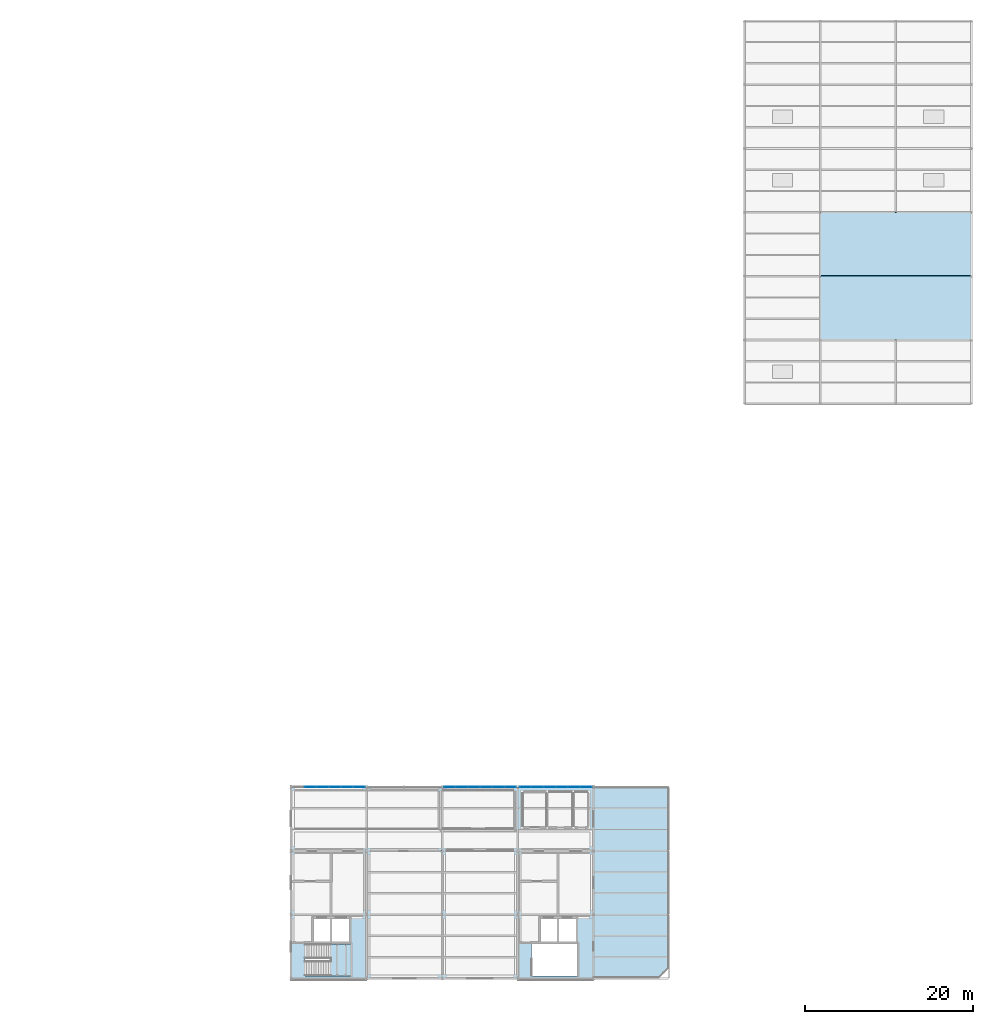
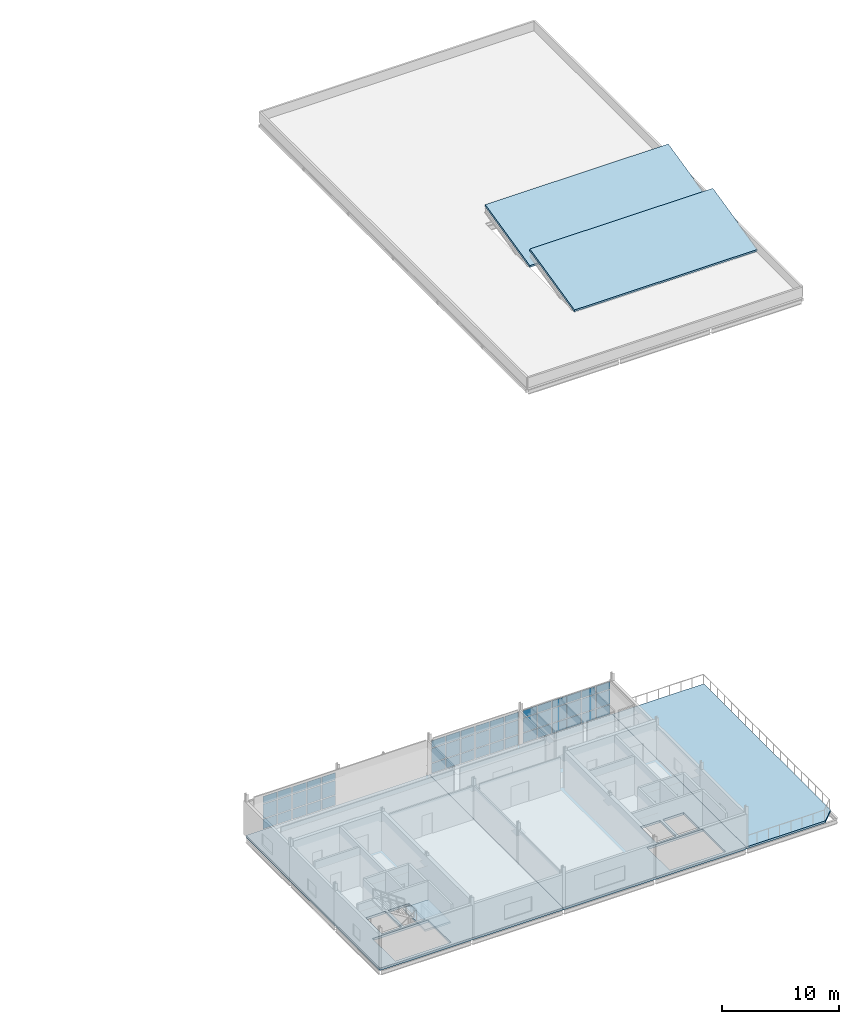
# One storey, part 13 of 24: 51 plates, 6 slabs, 4 elements without a shape of their own.
"""IFC4 building model written with IfcOpenShell, lengths in metres."""

from ifc_helpers import new_model, si_unit, direction, frame, origin, origin_2d, place, context, subcontext, project, spatial, polyline, rectangle, outline, extrude, material, layer, layer_set, type_object, element, aggregate, save


model = new_model("IFC4")

# Units and contexts
model_context = context("Model", 3, precision=1e-05, world=origin(), true_north=direction((0.0, 1.0)))
body_context = subcontext(model_context, "Body", "Model", "MODEL_VIEW")
ifc_project = project(units=[si_unit("LENGTHUNIT", "METRE"), si_unit("AREAUNIT", "SQUARE_METRE"), si_unit("VOLUMEUNIT", "CUBIC_METRE"), si_unit("PLANEANGLEUNIT", "RADIAN"), si_unit("MASSUNIT", "GRAM", prefix="KILO")], contexts=[model_context])

# Site, building, storey
site_placement = place(None, origin())
site = spatial("IfcSite", under=ifc_project, at=site_placement, CompositionType="ELEMENT")
building_placement = place(site_placement, origin())
building = spatial("IfcBuilding", under=site, at=building_placement, Name="Caisbarro Railhouse Central Library", CompositionType="ELEMENT")
storey_placement = place(building_placement, frame((0.0, 0.0, 22.320068359375)))
storey = spatial("IfcBuildingStorey", under=building, at=storey_placement, Name="L05", CompositionType="ELEMENT", Elevation=22.320068359375)

# Curtain wall, plates
ifc_material_1 = material(Name="Anodised architectural aluminium", Category="aluminium")
curtain_wall_type = type_object("IfcCurtainWallType", Name="CW-CW02", PredefinedType="NOTDEFINED", material=ifc_material_1)
curtain_wall_1_placement = place(storey_placement, origin())
curtain_wall_1 = element("IfcCurtainWall", 1, at=curtain_wall_1_placement, inside=storey, type_object=curtain_wall_type, Name="CW02 curtain wall L05 #71", PredefinedType="NOTDEFINED")
ifc_material_2 = material(Name="Double low-e laminated solar-control glass", Category="glass")
ifc_layer_1 = layer(ifc_material_2, 0.01806640625, Name="Double low-e laminated solar-control glass")
ifc_layer_set_1 = layer_set([ifc_layer_1], Name="Double low-e laminated solar-control glass")
plate_type_1 = type_object("IfcPlateType", Name="CWP-CP18", PredefinedType="CURTAIN_PANEL", material=ifc_layer_set_1)
plate_1_placement = place(storey_placement, frame((65.330078125, 22.800048828125, 0.07470703125), z_axis=(0.0, 0.0, 1.0), x_axis=(1.0, 0.0, 0.0)))
plate_1 = element("IfcPlate", 2, at=plate_1_placement, type_object=plate_type_1, Name="CW02 panel 2.1", PredefinedType="CURTAIN_PANEL", context=body_context, shape_type="SweptSolid", body=[
    extrude(rectangle(XDim=1.37158203125, YDim=0.01806640625, at=origin_2d()), origin(), (0.0, 0.0, 1.0), 1.007568359375),
])
plate_2_placement = place(storey_placement, frame((65.330078125, 22.800048828125, 1.1572265625), z_axis=(0.0, 0.0, 1.0), x_axis=(1.0, 0.0, 0.0)))
plate_2 = element("IfcPlate", 3, at=plate_2_placement, type_object=plate_type_1, Name="CW02 panel 2.2", PredefinedType="CURTAIN_PANEL", context=body_context, shape_type="SweptSolid", body=[
    extrude(rectangle(XDim=1.37158203125, YDim=0.01806640625, at=origin_2d()), origin(), (0.0, 0.0, 1.0), 1.485107421875),
])
plate_3_placement = place(storey_placement, frame((65.330078125, 22.800048828125, 2.71728515625), z_axis=(0.0, 0.0, 1.0), x_axis=(1.0, 0.0, 0.0)))
plate_3 = element("IfcPlate", 4, at=plate_3_placement, type_object=plate_type_1, Name="CW02 panel 2.3", PredefinedType="CURTAIN_PANEL", context=body_context, shape_type="SweptSolid", body=[
    extrude(rectangle(XDim=1.37158203125, YDim=0.01806640625, at=origin_2d()), origin(), (0.0, 0.0, 1.0), 0.737548828125),
])
plate_4_placement = place(storey_placement, frame((66.776611328125, 22.800048828125, 0.07470703125), z_axis=(0.0, 0.0, 1.0), x_axis=(1.0, 0.0, 0.0)))
plate_4 = element("IfcPlate", 5, at=plate_4_placement, type_object=plate_type_1, Name="CW02 panel 3.1", PredefinedType="CURTAIN_PANEL", context=body_context, shape_type="SweptSolid", body=[
    extrude(rectangle(XDim=1.37158203125, YDim=0.01806640625, at=origin_2d()), origin(), (0.0, 0.0, 1.0), 1.007568359375),
])
plate_5_placement = place(storey_placement, frame((66.776611328125, 22.800048828125, 1.1572265625), z_axis=(0.0, 0.0, 1.0), x_axis=(1.0, 0.0, 0.0)))
plate_5 = element("IfcPlate", 6, at=plate_5_placement, type_object=plate_type_1, Name="CW02 panel 3.2", PredefinedType="CURTAIN_PANEL", context=body_context, shape_type="SweptSolid", body=[
    extrude(rectangle(XDim=1.37158203125, YDim=0.01806640625, at=origin_2d()), origin(), (0.0, 0.0, 1.0), 1.485107421875),
])
plate_6_placement = place(storey_placement, frame((66.776611328125, 22.800048828125, 2.71728515625), z_axis=(0.0, 0.0, 1.0), x_axis=(1.0, 0.0, 0.0)))
plate_6 = element("IfcPlate", 7, at=plate_6_placement, type_object=plate_type_1, Name="CW02 panel 3.3", PredefinedType="CURTAIN_PANEL", context=body_context, shape_type="SweptSolid", body=[
    extrude(rectangle(XDim=1.37158203125, YDim=0.01806640625, at=origin_2d()), origin(), (0.0, 0.0, 1.0), 0.737548828125),
])
plate_7_placement = place(storey_placement, frame((68.223388671875, 22.800048828125, 0.07470703125), z_axis=(0.0, 0.0, 1.0), x_axis=(1.0, 0.0, 0.0)))
plate_7 = element("IfcPlate", 8, at=plate_7_placement, type_object=plate_type_1, Name="CW02 panel 4.1", PredefinedType="CURTAIN_PANEL", context=body_context, shape_type="SweptSolid", body=[
    extrude(rectangle(XDim=1.37158203125, YDim=0.01806640625, at=origin_2d()), origin(), (0.0, 0.0, 1.0), 1.007568359375),
])
plate_8_placement = place(storey_placement, frame((68.223388671875, 22.800048828125, 1.1572265625), z_axis=(0.0, 0.0, 1.0), x_axis=(1.0, 0.0, 0.0)))
plate_8 = element("IfcPlate", 9, at=plate_8_placement, type_object=plate_type_1, Name="CW02 panel 4.2", PredefinedType="CURTAIN_PANEL", context=body_context, shape_type="SweptSolid", body=[
    extrude(rectangle(XDim=1.37158203125, YDim=0.01806640625, at=origin_2d()), origin(), (0.0, 0.0, 1.0), 1.485107421875),
])
plate_9_placement = place(storey_placement, frame((68.223388671875, 22.800048828125, 2.71728515625), z_axis=(0.0, 0.0, 1.0), x_axis=(1.0, 0.0, 0.0)))
plate_9 = element("IfcPlate", 10, at=plate_9_placement, type_object=plate_type_1, Name="CW02 panel 4.3", PredefinedType="CURTAIN_PANEL", context=body_context, shape_type="SweptSolid", body=[
    extrude(rectangle(XDim=1.37158203125, YDim=0.01806640625, at=origin_2d()), origin(), (0.0, 0.0, 1.0), 0.737548828125),
])
plate_10_placement = place(storey_placement, frame((69.669921875, 22.800048828125, 0.07470703125), z_axis=(0.0, 0.0, 1.0), x_axis=(1.0, 0.0, 0.0)))
plate_10 = element("IfcPlate", 11, at=plate_10_placement, type_object=plate_type_1, Name="CW02 panel 5.1", PredefinedType="CURTAIN_PANEL", context=body_context, shape_type="SweptSolid", body=[
    extrude(rectangle(XDim=1.37158203125, YDim=0.01806640625, at=origin_2d()), origin(), (0.0, 0.0, 1.0), 1.007568359375),
])
plate_11_placement = place(storey_placement, frame((69.669921875, 22.800048828125, 1.1572265625), z_axis=(0.0, 0.0, 1.0), x_axis=(1.0, 0.0, 0.0)))
plate_11 = element("IfcPlate", 12, at=plate_11_placement, type_object=plate_type_1, Name="CW02 panel 5.2", PredefinedType="CURTAIN_PANEL", context=body_context, shape_type="SweptSolid", body=[
    extrude(rectangle(XDim=1.37158203125, YDim=0.01806640625, at=origin_2d()), origin(), (0.0, 0.0, 1.0), 1.485107421875),
])
plate_12_placement = place(storey_placement, frame((69.669921875, 22.800048828125, 2.71728515625), z_axis=(0.0, 0.0, 1.0), x_axis=(1.0, 0.0, 0.0)))
plate_12 = element("IfcPlate", 13, at=plate_12_placement, type_object=plate_type_1, Name="CW02 panel 5.3", PredefinedType="CURTAIN_PANEL", context=body_context, shape_type="SweptSolid", body=[
    extrude(rectangle(XDim=1.37158203125, YDim=0.01806640625, at=origin_2d()), origin(), (0.0, 0.0, 1.0), 0.737548828125),
])
plate_13_placement = place(storey_placement, frame((71.097900390625, 22.800048828125, 0.07470703125), z_axis=(0.0, 0.0, 1.0), x_axis=(1.0, 0.0, 0.0)))
plate_13 = element("IfcPlate", 14, at=plate_13_placement, type_object=plate_type_1, Name="CW02 panel 6.1", PredefinedType="CURTAIN_PANEL", context=body_context, shape_type="SweptSolid", body=[
    extrude(rectangle(XDim=1.334228515625, YDim=0.01806640625, at=origin_2d()), origin(), (0.0, 0.0, 1.0), 1.007568359375),
])
plate_14_placement = place(storey_placement, frame((71.097900390625, 22.800048828125, 1.1572265625), z_axis=(0.0, 0.0, 1.0), x_axis=(1.0, 0.0, 0.0)))
plate_14 = element("IfcPlate", 15, at=plate_14_placement, type_object=plate_type_1, Name="CW02 panel 6.2", PredefinedType="CURTAIN_PANEL", context=body_context, shape_type="SweptSolid", body=[
    extrude(rectangle(XDim=1.334228515625, YDim=0.01806640625, at=origin_2d()), origin(), (0.0, 0.0, 1.0), 1.485107421875),
])
plate_15_placement = place(storey_placement, frame((71.097900390625, 22.800048828125, 2.71728515625), z_axis=(0.0, 0.0, 1.0), x_axis=(1.0, 0.0, 0.0)))
plate_15 = element("IfcPlate", 16, at=plate_15_placement, type_object=plate_type_1, Name="CW02 panel 6.3", PredefinedType="CURTAIN_PANEL", context=body_context, shape_type="SweptSolid", body=[
    extrude(rectangle(XDim=1.334228515625, YDim=0.01806640625, at=origin_2d()), origin(), (0.0, 0.0, 1.0), 0.737548828125),
])
aggregate(curtain_wall_1, [plate_1, plate_2, plate_3, plate_4, plate_5, plate_6, plate_7, plate_8, plate_9, plate_10, plate_11, plate_12, plate_13, plate_14, plate_15])

curtain_wall_2_placement = place(storey_placement, origin())
curtain_wall_2 = element("IfcCurtainWall", 17, at=curtain_wall_2_placement, inside=storey, type_object=curtain_wall_type, Name="CW02 curtain wall L05 #72", PredefinedType="NOTDEFINED")
ifc_layer_2 = layer(ifc_material_2, 0.0380859375, Name="Double low-e laminated solar-control glass")
ifc_layer_set_2 = layer_set([ifc_layer_2], Name="Double low-e laminated solar-control glass")
plate_type_2 = type_object("IfcPlateType", Name="CWP-CP38", PredefinedType="CURTAIN_PANEL", material=ifc_layer_set_2)
plate_16_placement = place(storey_placement, frame((81.902099609375, 22.800048828125, 0.07470703125), z_axis=(0.0, 0.0, 1.0), x_axis=(1.0, 0.0, 0.0)))
plate_16 = element("IfcPlate", 18, at=plate_16_placement, type_object=plate_type_2, Name="CW02 panel 1.1", PredefinedType="CURTAIN_PANEL", context=body_context, shape_type="SweptSolid", body=[
    extrude(rectangle(XDim=1.334228515625, YDim=0.0380859375, at=origin_2d()), origin(), (0.0, 0.0, 1.0), 1.007568359375),
])
plate_17_placement = place(storey_placement, frame((81.902099609375, 22.800048828125, 1.1572265625), z_axis=(0.0, 0.0, 1.0), x_axis=(1.0, 0.0, 0.0)))
plate_17 = element("IfcPlate", 19, at=plate_17_placement, type_object=plate_type_2, Name="CW02 panel 1.2", PredefinedType="CURTAIN_PANEL", context=body_context, shape_type="SweptSolid", body=[
    extrude(rectangle(XDim=1.334228515625, YDim=0.0380859375, at=origin_2d()), origin(), (0.0, 0.0, 1.0), 1.485107421875),
])
plate_18_placement = place(storey_placement, frame((81.902099609375, 22.800048828125, 2.71728515625), z_axis=(0.0, 0.0, 1.0), x_axis=(1.0, 0.0, 0.0)))
plate_18 = element("IfcPlate", 20, at=plate_18_placement, type_object=plate_type_2, Name="CW02 panel 1.3", PredefinedType="CURTAIN_PANEL", context=body_context, shape_type="SweptSolid", body=[
    extrude(rectangle(XDim=1.334228515625, YDim=0.0380859375, at=origin_2d()), origin(), (0.0, 0.0, 1.0), 0.737548828125),
])
plate_19_placement = place(storey_placement, frame((83.330078125, 22.800048828125, 0.07470703125), z_axis=(0.0, 0.0, 1.0), x_axis=(1.0, 0.0, 0.0)))
plate_19 = element("IfcPlate", 21, at=plate_19_placement, type_object=plate_type_2, Name="CW02 panel 2.1", PredefinedType="CURTAIN_PANEL", context=body_context, shape_type="SweptSolid", body=[
    extrude(rectangle(XDim=1.37158203125, YDim=0.0380859375, at=origin_2d()), origin(), (0.0, 0.0, 1.0), 1.007568359375),
])
plate_20_placement = place(storey_placement, frame((83.330078125, 22.800048828125, 1.1572265625), z_axis=(0.0, 0.0, 1.0), x_axis=(1.0, 0.0, 0.0)))
plate_20 = element("IfcPlate", 22, at=plate_20_placement, type_object=plate_type_2, Name="CW02 panel 2.2", PredefinedType="CURTAIN_PANEL", context=body_context, shape_type="SweptSolid", body=[
    extrude(rectangle(XDim=1.37158203125, YDim=0.0380859375, at=origin_2d()), origin(), (0.0, 0.0, 1.0), 1.485107421875),
])
plate_21_placement = place(storey_placement, frame((83.330078125, 22.800048828125, 2.71728515625), z_axis=(0.0, 0.0, 1.0), x_axis=(1.0, 0.0, 0.0)))
plate_21 = element("IfcPlate", 23, at=plate_21_placement, type_object=plate_type_2, Name="CW02 panel 2.3", PredefinedType="CURTAIN_PANEL", context=body_context, shape_type="SweptSolid", body=[
    extrude(rectangle(XDim=1.37158203125, YDim=0.0380859375, at=origin_2d()), origin(), (0.0, 0.0, 1.0), 0.737548828125),
])
plate_22_placement = place(storey_placement, frame((84.776611328125, 22.800048828125, 0.07470703125), z_axis=(0.0, 0.0, 1.0), x_axis=(1.0, 0.0, 0.0)))
plate_22 = element("IfcPlate", 24, at=plate_22_placement, type_object=plate_type_2, Name="CW02 panel 3.1", PredefinedType="CURTAIN_PANEL", context=body_context, shape_type="SweptSolid", body=[
    extrude(rectangle(XDim=1.37158203125, YDim=0.0380859375, at=origin_2d()), origin(), (0.0, 0.0, 1.0), 1.007568359375),
])
plate_23_placement = place(storey_placement, frame((84.776611328125, 22.800048828125, 1.1572265625), z_axis=(0.0, 0.0, 1.0), x_axis=(1.0, 0.0, 0.0)))
plate_23 = element("IfcPlate", 25, at=plate_23_placement, type_object=plate_type_2, Name="CW02 panel 3.2", PredefinedType="CURTAIN_PANEL", context=body_context, shape_type="SweptSolid", body=[
    extrude(rectangle(XDim=1.37158203125, YDim=0.0380859375, at=origin_2d()), origin(), (0.0, 0.0, 1.0), 1.485107421875),
])
plate_24_placement = place(storey_placement, frame((84.776611328125, 22.800048828125, 2.71728515625), z_axis=(0.0, 0.0, 1.0), x_axis=(1.0, 0.0, 0.0)))
plate_24 = element("IfcPlate", 26, at=plate_24_placement, type_object=plate_type_2, Name="CW02 panel 3.3", PredefinedType="CURTAIN_PANEL", context=body_context, shape_type="SweptSolid", body=[
    extrude(rectangle(XDim=1.37158203125, YDim=0.0380859375, at=origin_2d()), origin(), (0.0, 0.0, 1.0), 0.737548828125),
])
plate_25_placement = place(storey_placement, frame((86.223388671875, 22.800048828125, 0.07470703125), z_axis=(0.0, 0.0, 1.0), x_axis=(1.0, 0.0, 0.0)))
plate_25 = element("IfcPlate", 27, at=plate_25_placement, type_object=plate_type_2, Name="CW02 panel 4.1", PredefinedType="CURTAIN_PANEL", context=body_context, shape_type="SweptSolid", body=[
    extrude(rectangle(XDim=1.37158203125, YDim=0.0380859375, at=origin_2d()), origin(), (0.0, 0.0, 1.0), 1.007568359375),
])
plate_26_placement = place(storey_placement, frame((86.223388671875, 22.800048828125, 1.1572265625), z_axis=(0.0, 0.0, 1.0), x_axis=(1.0, 0.0, 0.0)))
plate_26 = element("IfcPlate", 28, at=plate_26_placement, type_object=plate_type_2, Name="CW02 panel 4.2", PredefinedType="CURTAIN_PANEL", context=body_context, shape_type="SweptSolid", body=[
    extrude(rectangle(XDim=1.37158203125, YDim=0.0380859375, at=origin_2d()), origin(), (0.0, 0.0, 1.0), 1.485107421875),
])
plate_27_placement = place(storey_placement, frame((86.223388671875, 22.800048828125, 2.71728515625), z_axis=(0.0, 0.0, 1.0), x_axis=(1.0, 0.0, 0.0)))
plate_27 = element("IfcPlate", 29, at=plate_27_placement, type_object=plate_type_2, Name="CW02 panel 4.3", PredefinedType="CURTAIN_PANEL", context=body_context, shape_type="SweptSolid", body=[
    extrude(rectangle(XDim=1.37158203125, YDim=0.0380859375, at=origin_2d()), origin(), (0.0, 0.0, 1.0), 0.737548828125),
])
plate_28_placement = place(storey_placement, frame((87.669921875, 22.800048828125, 0.07470703125), z_axis=(0.0, 0.0, 1.0), x_axis=(1.0, 0.0, 0.0)))
plate_28 = element("IfcPlate", 30, at=plate_28_placement, type_object=plate_type_2, Name="CW02 panel 5.1", PredefinedType="CURTAIN_PANEL", context=body_context, shape_type="SweptSolid", body=[
    extrude(rectangle(XDim=1.37158203125, YDim=0.0380859375, at=origin_2d()), origin(), (0.0, 0.0, 1.0), 1.007568359375),
])
plate_29_placement = place(storey_placement, frame((87.669921875, 22.800048828125, 1.1572265625), z_axis=(0.0, 0.0, 1.0), x_axis=(1.0, 0.0, 0.0)))
plate_29 = element("IfcPlate", 31, at=plate_29_placement, type_object=plate_type_2, Name="CW02 panel 5.2", PredefinedType="CURTAIN_PANEL", context=body_context, shape_type="SweptSolid", body=[
    extrude(rectangle(XDim=1.37158203125, YDim=0.0380859375, at=origin_2d()), origin(), (0.0, 0.0, 1.0), 1.485107421875),
])
plate_30_placement = place(storey_placement, frame((87.669921875, 22.800048828125, 2.71728515625), z_axis=(0.0, 0.0, 1.0), x_axis=(1.0, 0.0, 0.0)))
plate_30 = element("IfcPlate", 32, at=plate_30_placement, type_object=plate_type_2, Name="CW02 panel 5.3", PredefinedType="CURTAIN_PANEL", context=body_context, shape_type="SweptSolid", body=[
    extrude(rectangle(XDim=1.37158203125, YDim=0.0380859375, at=origin_2d()), origin(), (0.0, 0.0, 1.0), 0.737548828125),
])
plate_31_placement = place(storey_placement, frame((89.097900390625, 22.800048828125, 0.07470703125), z_axis=(0.0, 0.0, 1.0), x_axis=(1.0, 0.0, 0.0)))
plate_31 = element("IfcPlate", 33, at=plate_31_placement, type_object=plate_type_2, Name="CW02 panel 6.1", PredefinedType="CURTAIN_PANEL", context=body_context, shape_type="SweptSolid", body=[
    extrude(rectangle(XDim=1.334228515625, YDim=0.0380859375, at=origin_2d()), origin(), (0.0, 0.0, 1.0), 1.007568359375),
])
plate_32_placement = place(storey_placement, frame((89.097900390625, 22.800048828125, 1.1572265625), z_axis=(0.0, 0.0, 1.0), x_axis=(1.0, 0.0, 0.0)))
plate_32 = element("IfcPlate", 34, at=plate_32_placement, type_object=plate_type_2, Name="CW02 panel 6.2", PredefinedType="CURTAIN_PANEL", context=body_context, shape_type="SweptSolid", body=[
    extrude(rectangle(XDim=1.334228515625, YDim=0.0380859375, at=origin_2d()), origin(), (0.0, 0.0, 1.0), 1.485107421875),
])
plate_33_placement = place(storey_placement, frame((89.097900390625, 22.800048828125, 2.71728515625), z_axis=(0.0, 0.0, 1.0), x_axis=(1.0, 0.0, 0.0)))
plate_33 = element("IfcPlate", 35, at=plate_33_placement, type_object=plate_type_2, Name="CW02 panel 6.3", PredefinedType="CURTAIN_PANEL", context=body_context, shape_type="SweptSolid", body=[
    extrude(rectangle(XDim=1.334228515625, YDim=0.0380859375, at=origin_2d()), origin(), (0.0, 0.0, 1.0), 0.737548828125),
])
aggregate(curtain_wall_2, [plate_16, plate_17, plate_18, plate_19, plate_20, plate_21, plate_22, plate_23, plate_24, plate_25, plate_26, plate_27, plate_28, plate_29, plate_30, plate_31, plate_32, plate_33])

curtain_wall_3_placement = place(storey_placement, origin())
curtain_wall_3 = element("IfcCurtainWall", 36, at=curtain_wall_3_placement, inside=storey, type_object=curtain_wall_type, Name="CW02 curtain wall L05 #73", PredefinedType="NOTDEFINED")
ifc_layer_3 = layer(ifc_material_2, 0.048095703125, Name="Double low-e laminated solar-control glass")
ifc_layer_set_3 = layer_set([ifc_layer_3], Name="Double low-e laminated solar-control glass")
plate_type_3 = type_object("IfcPlateType", Name="CWP-CP48", PredefinedType="CURTAIN_PANEL", material=ifc_layer_set_3)
plate_34_placement = place(storey_placement, frame((90.899658203125, 22.800048828125, 0.07470703125), z_axis=(0.0, 0.0, 1.0), x_axis=(1.0, 0.0, 0.0)))
plate_34 = element("IfcPlate", 37, at=plate_34_placement, type_object=plate_type_3, Name="CW02 panel 1.1", PredefinedType="CURTAIN_PANEL", context=body_context, shape_type="SweptSolid", body=[
    extrude(rectangle(XDim=1.34912109375, YDim=0.048095703125, at=origin_2d()), origin(), (0.0, 0.0, 1.0), 1.007568359375),
])
plate_35_placement = place(storey_placement, frame((90.899658203125, 22.800048828125, 1.1572265625), z_axis=(0.0, 0.0, 1.0), x_axis=(1.0, 0.0, 0.0)))
plate_35 = element("IfcPlate", 38, at=plate_35_placement, type_object=plate_type_3, Name="CW02 panel 1.2", PredefinedType="CURTAIN_PANEL", context=body_context, shape_type="SweptSolid", body=[
    extrude(rectangle(XDim=1.34912109375, YDim=0.048095703125, at=origin_2d()), origin(), (0.0, 0.0, 1.0), 1.485107421875),
])
plate_36_placement = place(storey_placement, frame((90.899658203125, 22.800048828125, 2.71728515625), z_axis=(0.0, 0.0, 1.0), x_axis=(1.0, 0.0, 0.0)))
plate_36 = element("IfcPlate", 39, at=plate_36_placement, type_object=plate_type_3, Name="CW02 panel 1.3", PredefinedType="CURTAIN_PANEL", context=body_context, shape_type="SweptSolid", body=[
    extrude(rectangle(XDim=1.34912109375, YDim=0.048095703125, at=origin_2d()), origin(), (0.0, 0.0, 1.0), 0.737548828125),
])
plate_37_placement = place(storey_placement, frame((92.330078125, 22.800048828125, 0.07470703125), z_axis=(0.0, 0.0, 1.0), x_axis=(1.0, 0.0, 0.0)))
plate_37 = element("IfcPlate", 40, at=plate_37_placement, type_object=plate_type_3, Name="CW02 panel 2.1", PredefinedType="CURTAIN_PANEL", context=body_context, shape_type="SweptSolid", body=[
    extrude(rectangle(XDim=1.381591796875, YDim=0.048095703125, at=origin_2d()), origin(), (0.0, 0.0, 1.0), 1.007568359375),
])
plate_38_placement = place(storey_placement, frame((92.330078125, 22.800048828125, 1.1572265625), z_axis=(0.0, 0.0, 1.0), x_axis=(1.0, 0.0, 0.0)))
plate_38 = element("IfcPlate", 41, at=plate_38_placement, type_object=plate_type_3, Name="CW02 panel 2.2", PredefinedType="CURTAIN_PANEL", context=body_context, shape_type="SweptSolid", body=[
    extrude(rectangle(XDim=1.381591796875, YDim=0.048095703125, at=origin_2d()), origin(), (0.0, 0.0, 1.0), 1.485107421875),
])
plate_39_placement = place(storey_placement, frame((92.330078125, 22.800048828125, 2.71728515625), z_axis=(0.0, 0.0, 1.0), x_axis=(1.0, 0.0, 0.0)))
plate_39 = element("IfcPlate", 42, at=plate_39_placement, type_object=plate_type_3, Name="CW02 panel 2.3", PredefinedType="CURTAIN_PANEL", context=body_context, shape_type="SweptSolid", body=[
    extrude(rectangle(XDim=1.381591796875, YDim=0.048095703125, at=origin_2d()), origin(), (0.0, 0.0, 1.0), 0.737548828125),
])
plate_40_placement = place(storey_placement, frame((93.776611328125, 22.800048828125, 0.07470703125), z_axis=(0.0, 0.0, 1.0), x_axis=(1.0, 0.0, 0.0)))
plate_40 = element("IfcPlate", 43, at=plate_40_placement, type_object=plate_type_3, Name="CW02 panel 3.1", PredefinedType="CURTAIN_PANEL", context=body_context, shape_type="SweptSolid", body=[
    extrude(rectangle(XDim=1.381591796875, YDim=0.048095703125, at=origin_2d()), origin(), (0.0, 0.0, 1.0), 1.007568359375),
])
plate_41_placement = place(storey_placement, frame((93.776611328125, 22.800048828125, 1.1572265625), z_axis=(0.0, 0.0, 1.0), x_axis=(1.0, 0.0, 0.0)))
plate_41 = element("IfcPlate", 44, at=plate_41_placement, type_object=plate_type_3, Name="CW02 panel 3.2", PredefinedType="CURTAIN_PANEL", context=body_context, shape_type="SweptSolid", body=[
    extrude(rectangle(XDim=1.381591796875, YDim=0.048095703125, at=origin_2d()), origin(), (0.0, 0.0, 1.0), 1.485107421875),
])
plate_42_placement = place(storey_placement, frame((93.776611328125, 22.800048828125, 2.71728515625), z_axis=(0.0, 0.0, 1.0), x_axis=(1.0, 0.0, 0.0)))
plate_42 = element("IfcPlate", 45, at=plate_42_placement, type_object=plate_type_3, Name="CW02 panel 3.3", PredefinedType="CURTAIN_PANEL", context=body_context, shape_type="SweptSolid", body=[
    extrude(rectangle(XDim=1.381591796875, YDim=0.048095703125, at=origin_2d()), origin(), (0.0, 0.0, 1.0), 0.737548828125),
])
plate_43_placement = place(storey_placement, frame((95.223388671875, 22.800048828125, 0.07470703125), z_axis=(0.0, 0.0, 1.0), x_axis=(1.0, 0.0, 0.0)))
plate_43 = element("IfcPlate", 46, at=plate_43_placement, type_object=plate_type_3, Name="CW02 panel 4.1", PredefinedType="CURTAIN_PANEL", context=body_context, shape_type="SweptSolid", body=[
    extrude(rectangle(XDim=1.381591796875, YDim=0.048095703125, at=origin_2d()), origin(), (0.0, 0.0, 1.0), 1.007568359375),
])
plate_44_placement = place(storey_placement, frame((95.223388671875, 22.800048828125, 1.1572265625), z_axis=(0.0, 0.0, 1.0), x_axis=(1.0, 0.0, 0.0)))
plate_44 = element("IfcPlate", 47, at=plate_44_placement, type_object=plate_type_3, Name="CW02 panel 4.2", PredefinedType="CURTAIN_PANEL", context=body_context, shape_type="SweptSolid", body=[
    extrude(rectangle(XDim=1.381591796875, YDim=0.048095703125, at=origin_2d()), origin(), (0.0, 0.0, 1.0), 1.485107421875),
])
plate_45_placement = place(storey_placement, frame((95.223388671875, 22.800048828125, 2.71728515625), z_axis=(0.0, 0.0, 1.0), x_axis=(1.0, 0.0, 0.0)))
plate_45 = element("IfcPlate", 48, at=plate_45_placement, type_object=plate_type_3, Name="CW02 panel 4.3", PredefinedType="CURTAIN_PANEL", context=body_context, shape_type="SweptSolid", body=[
    extrude(rectangle(XDim=1.381591796875, YDim=0.048095703125, at=origin_2d()), origin(), (0.0, 0.0, 1.0), 0.737548828125),
])
plate_46_placement = place(storey_placement, frame((96.669921875, 22.800048828125, 0.07470703125), z_axis=(0.0, 0.0, 1.0), x_axis=(1.0, 0.0, 0.0)))
plate_46 = element("IfcPlate", 49, at=plate_46_placement, type_object=plate_type_3, Name="CW02 panel 5.1", PredefinedType="CURTAIN_PANEL", context=body_context, shape_type="SweptSolid", body=[
    extrude(rectangle(XDim=1.381591796875, YDim=0.048095703125, at=origin_2d()), origin(), (0.0, 0.0, 1.0), 1.007568359375),
])
plate_47_placement = place(storey_placement, frame((96.669921875, 22.800048828125, 1.1572265625), z_axis=(0.0, 0.0, 1.0), x_axis=(1.0, 0.0, 0.0)))
plate_47 = element("IfcPlate", 50, at=plate_47_placement, type_object=plate_type_3, Name="CW02 panel 5.2", PredefinedType="CURTAIN_PANEL", context=body_context, shape_type="SweptSolid", body=[
    extrude(rectangle(XDim=1.381591796875, YDim=0.048095703125, at=origin_2d()), origin(), (0.0, 0.0, 1.0), 1.485107421875),
])
plate_48_placement = place(storey_placement, frame((96.669921875, 22.800048828125, 2.71728515625), z_axis=(0.0, 0.0, 1.0), x_axis=(1.0, 0.0, 0.0)))
plate_48 = element("IfcPlate", 51, at=plate_48_placement, type_object=plate_type_3, Name="CW02 panel 5.3", PredefinedType="CURTAIN_PANEL", context=body_context, shape_type="SweptSolid", body=[
    extrude(rectangle(XDim=1.381591796875, YDim=0.048095703125, at=origin_2d()), origin(), (0.0, 0.0, 1.0), 0.737548828125),
])
plate_49_placement = place(storey_placement, frame((98.100341796875, 22.800048828125, 0.07470703125), z_axis=(0.0, 0.0, 1.0), x_axis=(1.0, 0.0, 0.0)))
plate_49 = element("IfcPlate", 52, at=plate_49_placement, type_object=plate_type_3, Name="CW02 panel 6.1", PredefinedType="CURTAIN_PANEL", context=body_context, shape_type="SweptSolid", body=[
    extrude(rectangle(XDim=1.34912109375, YDim=0.048095703125, at=origin_2d()), origin(), (0.0, 0.0, 1.0), 1.007568359375),
])
plate_50_placement = place(storey_placement, frame((98.100341796875, 22.800048828125, 1.1572265625), z_axis=(0.0, 0.0, 1.0), x_axis=(1.0, 0.0, 0.0)))
plate_50 = element("IfcPlate", 53, at=plate_50_placement, type_object=plate_type_3, Name="CW02 panel 6.2", PredefinedType="CURTAIN_PANEL", context=body_context, shape_type="SweptSolid", body=[
    extrude(rectangle(XDim=1.34912109375, YDim=0.048095703125, at=origin_2d()), origin(), (0.0, 0.0, 1.0), 1.485107421875),
])
plate_51_placement = place(storey_placement, frame((98.100341796875, 22.800048828125, 2.71728515625), z_axis=(0.0, 0.0, 1.0), x_axis=(1.0, 0.0, 0.0)))
plate_51 = element("IfcPlate", 54, at=plate_51_placement, type_object=plate_type_3, Name="CW02 panel 6.3", PredefinedType="CURTAIN_PANEL", context=body_context, shape_type="SweptSolid", body=[
    extrude(rectangle(XDim=1.34912109375, YDim=0.048095703125, at=origin_2d()), origin(), (0.0, 0.0, 1.0), 0.737548828125),
])
aggregate(curtain_wall_3, [plate_34, plate_35, plate_36, plate_37, plate_38, plate_39, plate_40, plate_41, plate_42, plate_43, plate_44, plate_45, plate_46, plate_47, plate_48, plate_49, plate_50, plate_51])

# Slabs
ifc_material_3 = material(Name="Concrete C35", Category="concrete")
ifc_layer_4 = layer(ifc_material_3, 0.239990234375, Name="Concrete C35")
ifc_layer_set_4 = layer_set([ifc_layer_4], Name="Concrete C35")
slab_type_1 = type_object("IfcSlabType", Name="SLB-FL24", PredefinedType="FLOOR", material=ifc_layer_set_4)
slab_1_placement = place(storey_placement, frame((0.0, 0.0, -0.239990234375)))
element("IfcSlab", 55, at=slab_1_placement, inside=storey, type_object=slab_type_1, Name="SF24 structural slab L05 V5.1", PredefinedType="FLOOR", context=body_context, shape_type="SweptSolid", body=[
    extrude(outline(polyline([(63.0, 0.0), (81.0, 0.0), (81.0, 22.800048828125), (63.0, 22.800048828125), (63.0, 0.0)]), holes=[polyline([(64.64990234375, 0.300048828125), (70.14990234375, 0.300048828125), (70.14990234375, 4.14990234375), (64.64990234375, 4.14990234375), (64.64990234375, 0.300048828125)]), polyline([(65.699951171875, 4.39990234375), (67.64990234375, 4.39990234375), (67.64990234375, 7.10009765625), (65.699951171875, 7.10009765625), (65.699951171875, 4.39990234375)]), polyline([(67.89990234375, 4.39990234375), (69.949951171875, 4.39990234375), (69.949951171875, 7.10009765625), (67.89990234375, 7.10009765625), (67.89990234375, 4.39990234375)])]), origin(), (0.0, 0.0, 1.0), 0.239990234375),
])
slab_2_placement = place(storey_placement, frame((0.0, 0.0, -0.239990234375)))
element("IfcSlab", 56, at=slab_2_placement, inside=storey, type_object=slab_type_1, Name="SF24 structural slab L05 V5.2", PredefinedType="FLOOR", context=body_context, shape_type="SweptSolid", body=[
    extrude(outline(polyline([(81.0, 0.0), (99.0, 0.0), (99.0, 22.800048828125), (81.0, 22.800048828125), (81.0, 0.0)]), holes=[polyline([(91.64990234375, 0.300048828125), (97.14990234375, 0.300048828125), (97.14990234375, 4.14990234375), (91.64990234375, 4.14990234375), (91.64990234375, 0.300048828125)]), polyline([(92.699951171875, 4.39990234375), (94.64990234375, 4.39990234375), (94.64990234375, 7.10009765625), (92.699951171875, 7.10009765625), (92.699951171875, 4.39990234375)]), polyline([(94.89990234375, 4.39990234375), (96.949951171875, 4.39990234375), (96.949951171875, 7.10009765625), (94.89990234375, 7.10009765625), (94.89990234375, 4.39990234375)])]), origin(), (0.0, 0.0, 1.0), 0.239990234375),
])

# Stair, slab
stair_type = type_object("IfcStairType", Name="STR-ST43B", PredefinedType="HALF_TURN_STAIR", material=ifc_material_3)
stair_placement = place(storey_placement, origin())
stair = element("IfcStair", 57, at=stair_placement, inside=storey, type_object=stair_type, Name="Protected Stair ST-01 (L05)", PredefinedType="HALF_TURN_STAIR")
ifc_layer_5 = layer(ifc_material_3, 0.18994140625, Name="Concrete C35")
ifc_layer_set_5 = layer_set([ifc_layer_5], Name="Concrete C35")
slab_type_2 = type_object("IfcSlabType", Name="SLB-LND19", PredefinedType="LANDING", material=ifc_layer_set_5)
slab_3_placement = place(storey_placement, frame((0.0, 0.0, 1.969970703125)))
slab_3 = element("IfcSlab", 58, at=slab_3_placement, type_object=slab_type_2, Name="ST-01 landing 1", PredefinedType="LANDING", context=body_context, shape_type="SweptSolid", body=[
    extrude(outline(polyline([(67.6201171875, 0.340087890625), (70.1201171875, 0.340087890625), (70.1201171875, 4.110107421875), (67.6201171875, 4.110107421875), (67.6201171875, 0.340087890625)])), origin(), (0.0, 0.0, 1.0), 0.18994140625),
])
aggregate(stair, [slab_3])

# Slabs
ifc_layer_6 = layer(ifc_material_3, 0.239990234375, Name="Concrete C35")
ifc_layer_set_6 = layer_set([ifc_layer_6], Name="Concrete C35")
slab_type_3 = type_object("IfcSlabType", Name="SLB-RF24", PredefinedType="ROOF", material=ifc_layer_set_6)
slab_4_placement = place(storey_placement, frame((126.0, 76.0, 0.300048828125), z_axis=(0.0, -0.223169135568, 0.974779737648), x_axis=(1.0, 0.0, 0.0)))
element("IfcSlab", 59, at=slab_4_placement, inside=storey, type_object=slab_type_3, Name="V4 Atrium Sawtooth Skylight Roof 1", PredefinedType="ROOF", context=body_context, shape_type="SweptSolid", body=[
    extrude(outline(polyline([(0.0, 0.0), (18.0, 0.0), (18.0, 7.796733315963624), (0.0, 7.796733315963624), (0.0, 0.0)])), origin(), (0.0, 0.0, -1.0), 0.239990234375),
])
slab_5_placement = place(storey_placement, frame((126.0, 83.60009765625, 0.300048828125), z_axis=(0.0, -0.223175947666, 0.97477817804), x_axis=(1.0, 0.0, 0.0)))
element("IfcSlab", 60, at=slab_5_placement, inside=storey, type_object=slab_type_3, Name="V4 Atrium Sawtooth Skylight Roof 2", PredefinedType="ROOF", context=body_context, shape_type="SweptSolid", body=[
    extrude(outline(polyline([(0.0, 0.0), (18.0, 0.0), (18.0, 7.796495332819614), (0.0, 7.796495332819614), (0.0, 0.0)])), origin(), (0.0, 0.0, -1.0), 0.239990234375),
])
ifc_layer_7 = layer(ifc_material_3, 0.2099609375, Name="Concrete C35")
ifc_layer_set_7 = layer_set([ifc_layer_7], Name="Concrete C35")
slab_type_4 = type_object("IfcSlabType", Name="SLB-TR21", PredefinedType="FLOOR", material=ifc_layer_set_7)
slab_6_placement = place(storey_placement, frame((0.0, 0.0, -0.2099609375)))
element("IfcSlab", 61, at=slab_6_placement, inside=storey, type_object=slab_type_4, Name="Outdoor Reading Terrace Slab TR-L05-E", PredefinedType="FLOOR", context=body_context, shape_type="SweptSolid", body=[
    extrude(outline(polyline([(99.0, 0.0), (106.800048828125, 0.0), (108.0, 1.199951171875), (108.0, 22.800048828125), (99.0, 22.800048828125), (99.0, 0.0)])), origin(), (0.0, 0.0, 1.0), 0.2099609375),
])

save(model, "model.ifc")
